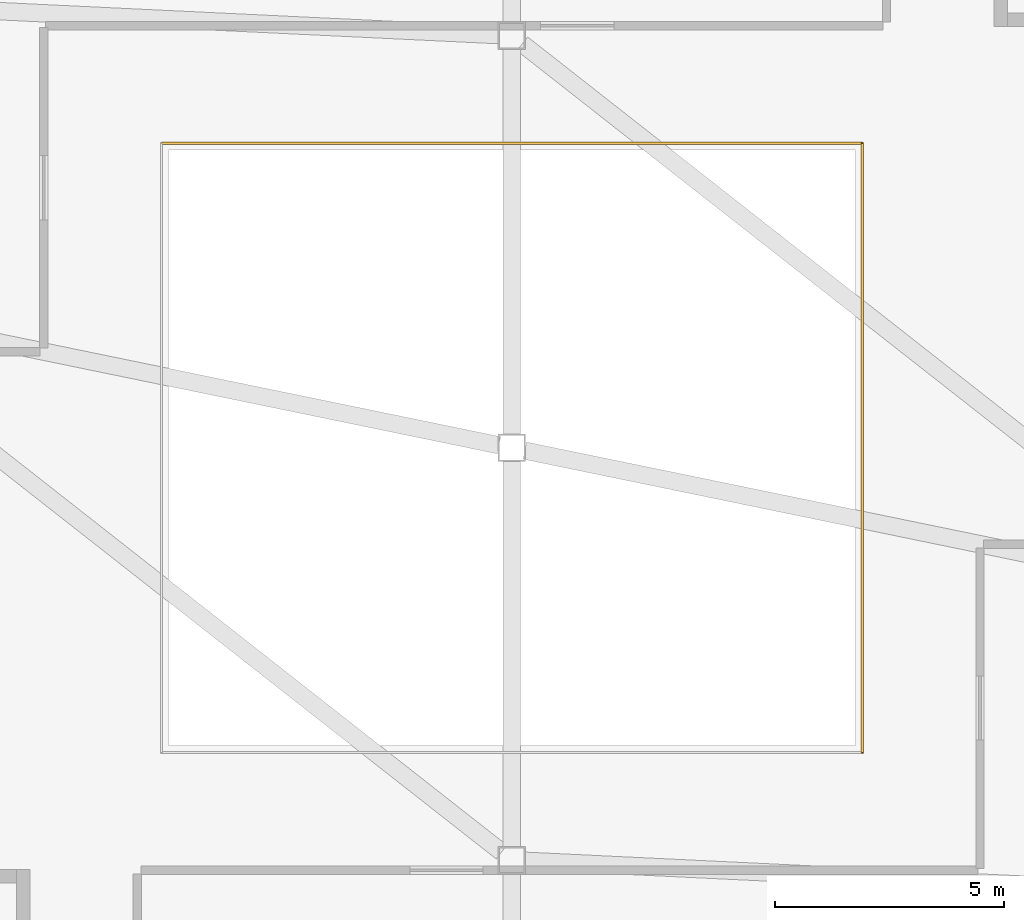
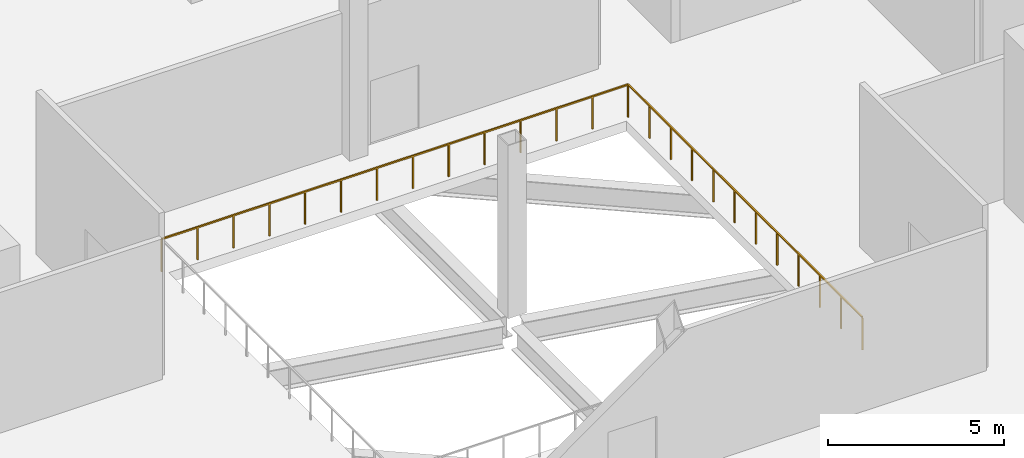
# One storey, part 19 of 20: 2 railings.
"""IFC4 building model written with IfcOpenShell, lengths in metres."""

from ifc_helpers import new_model, si_unit, direction, frame, origin, origin_2d, place, context, subcontext, project, spatial, rectangle, extrude, material, type_object, element, save


model = new_model("IFC4")

# Units and contexts
model_context = context("Model", 3, precision=1e-05, world=origin(), true_north=direction((0.0, 1.0)))
body_context = subcontext(model_context, "Body", "Model", "MODEL_VIEW")
ifc_project = project(units=[si_unit("LENGTHUNIT", "METRE"), si_unit("AREAUNIT", "SQUARE_METRE"), si_unit("VOLUMEUNIT", "CUBIC_METRE"), si_unit("PLANEANGLEUNIT", "RADIAN"), si_unit("MASSUNIT", "GRAM", prefix="KILO"), si_unit("THERMODYNAMICTEMPERATUREUNIT", "KELVIN"), si_unit("POWERUNIT", "WATT")], contexts=[model_context])

# Site, building, storey
site_placement = place(None, origin())
site = spatial("IfcSite", under=ifc_project, at=site_placement, CompositionType="ELEMENT")
building_placement = place(site_placement, origin())
building = spatial("IfcBuilding", under=site, at=building_placement, Name="Cundina Bronze Exchange", CompositionType="ELEMENT")
storey_placement = place(building_placement, frame((0.0, 0.0, 6.0)))
storey = spatial("IfcBuildingStorey", under=building, at=storey_placement, Name="L01", CompositionType="ELEMENT", Elevation=6.0)

# Railings
ifc_material = material(Name="Heat-Strengthened Solar-Control Bronze Safety Glass 28mm", Category="glass")
railing_type = type_object("IfcRailingType", Name="RLG-BAL-1150", PredefinedType="BALUSTRADE", material=ifc_material)
railing_1_placement = place(storey_placement, frame((7.64990234375, -6.64990234375, 0.0)))
element("IfcRailing", 1, at=railing_1_placement, inside=storey, type_object=railing_type, Name="L01 Exchange Atrium Glass Balustrade 2", PredefinedType="BALUSTRADE", context=body_context, shape_type="SweptSolid", body=[
    extrude(rectangle(XDim=0.048095703125, YDim=0.048095703125, at=origin_2d()), frame((0.0, 0.0, 1.1259765625), z_axis=(0.0, 1.0, 0.0), x_axis=(-1.0, 0.0, 0.0)), (0.0, 0.0, 1.0), 13.2998046875),
    extrude(rectangle(XDim=0.0419921875, YDim=0.0419921875, at=origin_2d()), origin(), (0.0, 0.0, 1.0), 1.101806640625),
    extrude(rectangle(XDim=0.0419921875, YDim=0.0419921875, at=origin_2d()), frame((0.0, 1.208984375, 0.0)), (0.0, 0.0, 1.0), 1.101806640625),
    extrude(rectangle(XDim=0.0419921875, YDim=0.0419921875, at=origin_2d()), frame((0.0, 2.418212890625, 0.0)), (0.0, 0.0, 1.0), 1.101806640625),
    extrude(rectangle(XDim=0.0419921875, YDim=0.0419921875, at=origin_2d()), frame((0.0, 3.627197265625, 0.0)), (0.0, 0.0, 1.0), 1.101806640625),
    extrude(rectangle(XDim=0.0419921875, YDim=0.0419921875, at=origin_2d()), frame((0.0, 4.836181640625, 0.0)), (0.0, 0.0, 1.0), 1.101806640625),
    extrude(rectangle(XDim=0.0419921875, YDim=0.0419921875, at=origin_2d()), frame((0.0, 6.04541015625, 0.0)), (0.0, 0.0, 1.0), 1.101806640625),
    extrude(rectangle(XDim=0.0419921875, YDim=0.0419921875, at=origin_2d()), frame((0.0, 7.25439453125, 0.0)), (0.0, 0.0, 1.0), 1.101806640625),
    extrude(rectangle(XDim=0.0419921875, YDim=0.0419921875, at=origin_2d()), frame((0.0, 8.463623046875, 0.0)), (0.0, 0.0, 1.0), 1.101806640625),
    extrude(rectangle(XDim=0.0419921875, YDim=0.0419921875, at=origin_2d()), frame((0.0, 9.672607421875, 0.0)), (0.0, 0.0, 1.0), 1.101806640625),
    extrude(rectangle(XDim=0.0419921875, YDim=0.0419921875, at=origin_2d()), frame((0.0, 10.881591796875, 0.0)), (0.0, 0.0, 1.0), 1.101806640625),
    extrude(rectangle(XDim=0.0419921875, YDim=0.0419921875, at=origin_2d()), frame((0.0, 12.0908203125, 0.0)), (0.0, 0.0, 1.0), 1.101806640625),
    extrude(rectangle(XDim=0.0419921875, YDim=0.0419921875, at=origin_2d()), frame((0.0, 13.2998046875, 0.0)), (0.0, 0.0, 1.0), 1.101806640625),
])
railing_2_placement = place(storey_placement, frame((7.64990234375, 6.64990234375, 0.0)))
element("IfcRailing", 2, at=railing_2_placement, inside=storey, type_object=railing_type, Name="L01 Exchange Atrium Glass Balustrade 3", PredefinedType="BALUSTRADE", context=body_context, shape_type="SweptSolid", body=[
    extrude(rectangle(XDim=0.048095703125, YDim=0.048095703125, at=origin_2d()), frame((0.0, 0.0, 1.1259765625), z_axis=(-1.0, 0.0, 0.0), x_axis=(0.0, -1.0, 0.0)), (0.0, 0.0, 1.0), 15.2998046875),
    extrude(rectangle(XDim=0.0419921875, YDim=0.0419921875, at=origin_2d()), origin(), (0.0, 0.0, 1.0), 1.101806640625),
    extrude(rectangle(XDim=0.0419921875, YDim=0.0419921875, at=origin_2d()), frame((-1.177001953125, 0.0, 0.0)), (0.0, 0.0, 1.0), 1.101806640625),
    extrude(rectangle(XDim=0.0419921875, YDim=0.0419921875, at=origin_2d()), frame((-2.353759765625, 0.0, 0.0)), (0.0, 0.0, 1.0), 1.101806640625),
    extrude(rectangle(XDim=0.0419921875, YDim=0.0419921875, at=origin_2d()), frame((-3.53076171875, 0.0, 0.0)), (0.0, 0.0, 1.0), 1.101806640625),
    extrude(rectangle(XDim=0.0419921875, YDim=0.0419921875, at=origin_2d()), frame((-4.70751953125, 0.0, 0.0)), (0.0, 0.0, 1.0), 1.101806640625),
    extrude(rectangle(XDim=0.0419921875, YDim=0.0419921875, at=origin_2d()), frame((-5.884521484375, 0.0, 0.0)), (0.0, 0.0, 1.0), 1.101806640625),
    extrude(rectangle(XDim=0.0419921875, YDim=0.0419921875, at=origin_2d()), frame((-7.0615234375, 0.0, 0.0)), (0.0, 0.0, 1.0), 1.101806640625),
    extrude(rectangle(XDim=0.0419921875, YDim=0.0419921875, at=origin_2d()), frame((-8.23828125, 0.0, 0.0)), (0.0, 0.0, 1.0), 1.101806640625),
    extrude(rectangle(XDim=0.0419921875, YDim=0.0419921875, at=origin_2d()), frame((-9.415283203125, 0.0, 0.0)), (0.0, 0.0, 1.0), 1.101806640625),
    extrude(rectangle(XDim=0.0419921875, YDim=0.0419921875, at=origin_2d()), frame((-10.59228515625, 0.0, 0.0)), (0.0, 0.0, 1.0), 1.101806640625),
    extrude(rectangle(XDim=0.0419921875, YDim=0.0419921875, at=origin_2d()), frame((-11.76904296875, 0.0, 0.0)), (0.0, 0.0, 1.0), 1.101806640625),
    extrude(rectangle(XDim=0.0419921875, YDim=0.0419921875, at=origin_2d()), frame((-12.946044921875, 0.0, 0.0)), (0.0, 0.0, 1.0), 1.101806640625),
    extrude(rectangle(XDim=0.0419921875, YDim=0.0419921875, at=origin_2d()), frame((-14.122802734375, 0.0, 0.0)), (0.0, 0.0, 1.0), 1.101806640625),
    extrude(rectangle(XDim=0.0419921875, YDim=0.0419921875, at=origin_2d()), frame((-15.2998046875, 0.0, 0.0)), (0.0, 0.0, 1.0), 1.101806640625),
])

save(model, "model.ifc")
